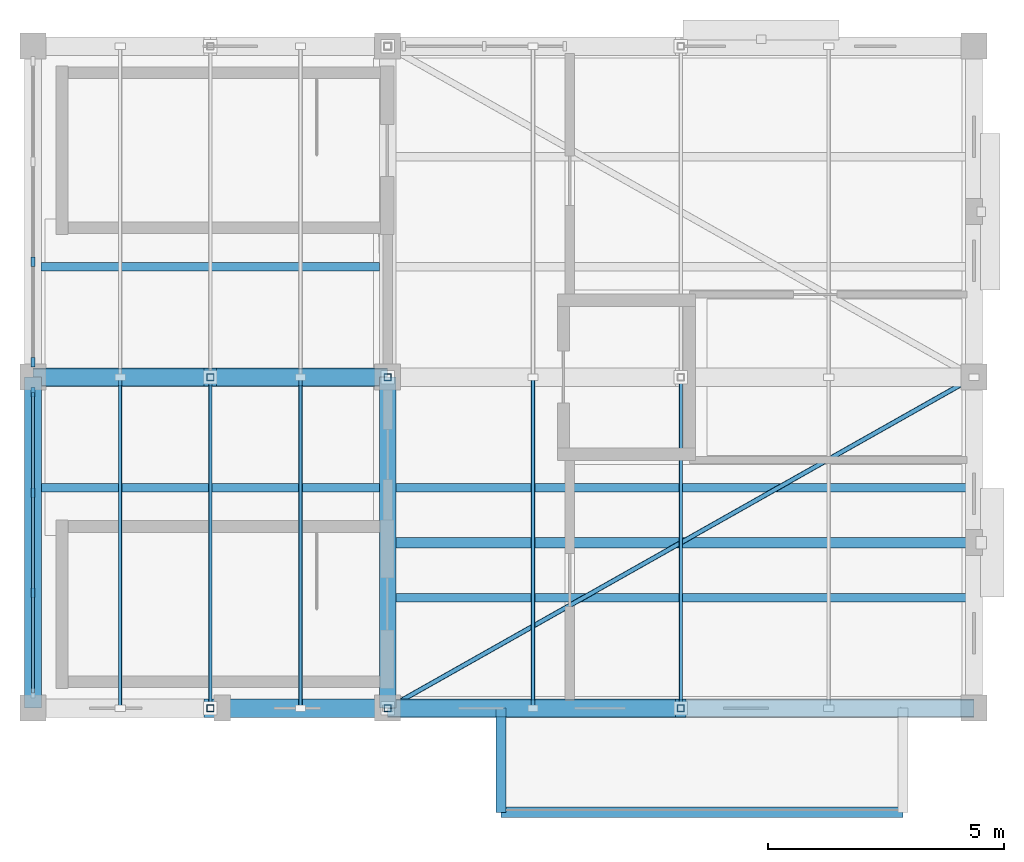
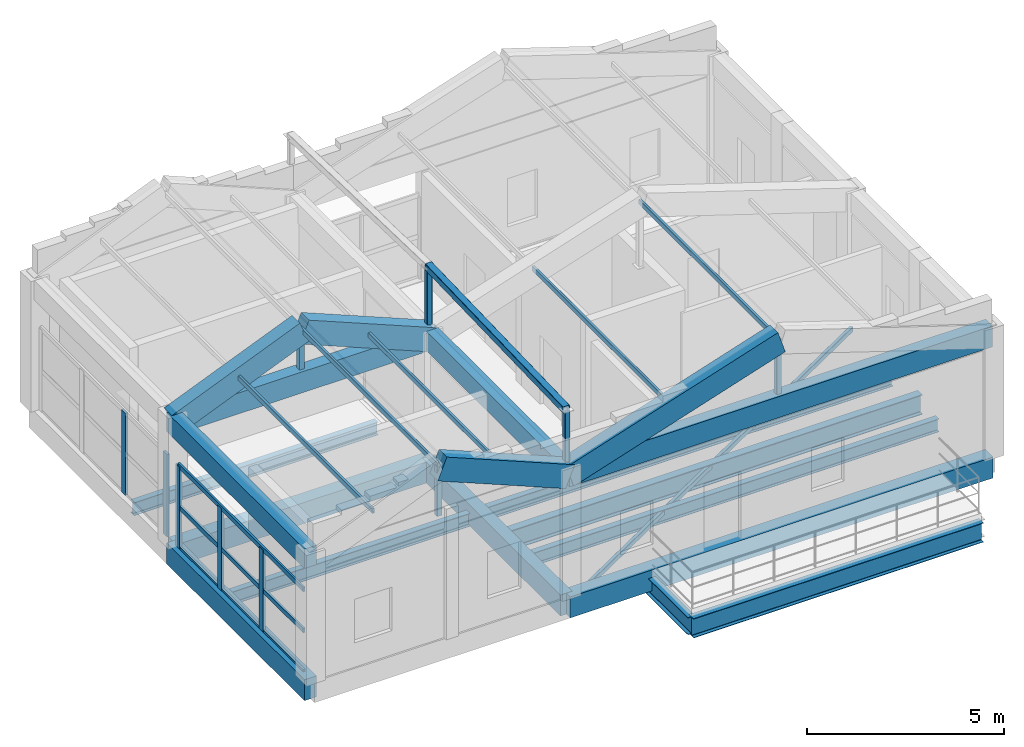
# One storey, part 2 of 8: 24 members, 15 beams, 2 elements without a shape of their own.
"""IFC4 building model written with IfcOpenShell, lengths in metres."""

from ifc_helpers import new_model, si_unit, direction, frame, origin, origin_2d, place, context, subcontext, project, spatial, rectangle, hollow_rectangle, i_section, extrude, material, layer, layer_set, material_profile, profile_set, type_object, element, aggregate, save


model = new_model("IFC4")

# Units and contexts
model_context = context("Model", 3, precision=1e-05, world=origin(), true_north=direction((0.0, 1.0)))
body_context = subcontext(model_context, "Body", "Model", "MODEL_VIEW")
ifc_project = project(units=[si_unit("LENGTHUNIT", "METRE"), si_unit("AREAUNIT", "SQUARE_METRE"), si_unit("VOLUMEUNIT", "CUBIC_METRE"), si_unit("PLANEANGLEUNIT", "RADIAN"), si_unit("MASSUNIT", "GRAM", prefix="KILO")], contexts=[model_context])

# Site, building, storey
site_placement = place(None, origin())
site = spatial("IfcSite", under=ifc_project, at=site_placement, CompositionType="ELEMENT")
building_placement = place(site_placement, origin())
building = spatial("IfcBuilding", under=site, at=building_placement, Name="Trellovar Central Fire Station", CompositionType="ELEMENT")
storey_placement = place(building_placement, frame((0.0, 0.0, 22.050048828125)))
storey = spatial("IfcBuildingStorey", under=building, at=storey_placement, Name="L06", CompositionType="ELEMENT", Elevation=22.050048828125)

# Beams
ifc_material_1 = material(Name="Concrete C40/50", Category="concrete")
ifc_material_profile_1 = material_profile(ifc_material_1, rectangle(XDim=0.39990234375, YDim=0.64990234375, at=origin_2d()), Name="RC400X650")
ifc_profile_set_1 = profile_set([ifc_material_profile_1], Name="Concrete C40/50")
beam_type_1 = type_object("IfcBeamType", Name="BM-G4", PredefinedType="BEAM", material=ifc_profile_set_1)
beam_1_placement = place(storey_placement, frame((148.60009765625, 59.0, -0.324951171875), z_axis=(1.0, 0.0, 0.0), x_axis=(0.0, 1.0, 0.0)))
element("IfcBeam", 1, at=beam_1_placement, inside=storey, type_object=beam_type_1, Name="L06 beam G-4", PredefinedType="BEAM", context=body_context, shape_type="SweptSolid", body=[
    extrude(rectangle(XDim=0.39990234375, YDim=0.64990234375, at=origin_2d()), origin(), (0.0, 0.0, 1.0), 12.39990234375),
])
beam_2_placement = place(storey_placement, frame((141.10009765625, 66.0, -0.324951171875), z_axis=(1.0, 0.0, 0.0), x_axis=(0.0, 1.0, 0.0)))
element("IfcBeam", 2, at=beam_2_placement, inside=storey, type_object=beam_type_1, Name="L06 beam G-4", PredefinedType="BEAM", context=body_context, shape_type="SweptSolid", body=[
    extrude(rectangle(XDim=0.39990234375, YDim=0.64990234375, at=origin_2d()), origin(), (0.0, 0.0, 1.0), 7.5),
])
ifc_material_2 = material(Name="Concrete C40/50", Category="concrete")
ifc_material_profile_2 = material_profile(ifc_material_2, rectangle(XDim=0.35009765625, YDim=0.64990234375, at=origin_2d()), Name="RC350X650")
ifc_profile_set_2 = profile_set([ifc_material_profile_2], Name="Concrete C40/50")
beam_type_2 = type_object("IfcBeamType", Name="BM-G5", PredefinedType="BEAM", material=ifc_profile_set_2)
for number, where, z_axis, x_axis, name in (
    (3, (141.10009765625, 59.0, -0.324951171875), (0.0, 1.0, 0.0), (-1.0, 0.0, 0.0), "L06 beam G-5"),
    (4, (148.60009765625, 59.0, -0.324951171875), (0.0, 1.0, 0.0), (-1.0, 0.0, 0.0), "L06 beam G-5"),
):
    element("IfcBeam", number, at=place(storey_placement, frame(where, z_axis=z_axis, x_axis=x_axis)), inside=storey, type_object=beam_type_2, Name=name, PredefinedType="BEAM", context=body_context, shape_type="SweptSolid", body=[
        extrude(rectangle(XDim=0.35009765625, YDim=0.64990234375, at=origin_2d()), origin(), (0.0, 0.0, 1.0), 7.0),
    ])
beam_3_placement = place(storey_placement, frame((148.60009765625, 59.0, 3.724853515625), z_axis=(1.0, 0.0, 0.0), x_axis=(0.0, 1.0, 0.0)))
element("IfcBeam", 5, at=beam_3_placement, inside=storey, type_object=beam_type_2, Name="L06 beam G-5", PredefinedType="BEAM", context=body_context, shape_type="SweptSolid", body=[
    extrude(rectangle(XDim=0.35009765625, YDim=0.64990234375, at=origin_2d()), origin(), (0.0, 0.0, 1.0), 12.39990234375),
])
beam_4_placement = place(storey_placement, frame((141.10009765625, 66.0, 3.724853515625), z_axis=(1.0, 0.0, 0.0), x_axis=(0.0, 1.0, 0.0)))
element("IfcBeam", 6, at=beam_4_placement, inside=storey, type_object=beam_type_2, Name="L06 beam G-5", PredefinedType="BEAM", context=body_context, shape_type="SweptSolid", body=[
    extrude(rectangle(XDim=0.35009765625, YDim=0.64990234375, at=origin_2d()), origin(), (0.0, 0.0, 1.0), 7.5),
])
ifc_material_3 = material(Name="Concrete C40/50", Category="concrete")
ifc_material_profile_3 = material_profile(ifc_material_3, rectangle(XDim=0.35009765625, YDim=0.60009765625, at=origin_2d()), Name="RC350X600")
ifc_profile_set_3 = profile_set([ifc_material_profile_3], Name="Concrete C40/50")
beam_type_3 = type_object("IfcBeamType", Name="BM-G6", PredefinedType="BEAM", material=ifc_profile_set_3)
for number, where, z_axis, x_axis, name in (
    (7, (141.10009765625, 59.0, 3.75), (0.0, 1.0, 0.0), (-1.0, 0.0, 0.0), "L06 beam G-6"),
    (8, (148.60009765625, 59.0, 3.75), (0.0, 1.0, 0.0), (-1.0, 0.0, 0.0), "L06 beam G-6"),
):
    element("IfcBeam", number, at=place(storey_placement, frame(where, z_axis=z_axis, x_axis=x_axis)), inside=storey, type_object=beam_type_3, Name=name, PredefinedType="BEAM", context=body_context, shape_type="SweptSolid", body=[
        extrude(rectangle(XDim=0.35009765625, YDim=0.60009765625, at=origin_2d()), origin(), (0.0, 0.0, 1.0), 7.0),
    ])
ifc_material_4 = material(Name="Steel ASTM A992 Grade 50", Category="steel")
ifc_material_profile_4 = material_profile(ifc_material_4, i_section(OverallWidth=0.177490234375, OverallDepth=0.40380859375, WebThickness=0.007568359375, FlangeThickness=0.010986328125, FilletRadius=0.011474609375, at=origin_2d()), Name="W16X36")
ifc_profile_set_4 = profile_set([ifc_material_profile_4], Name="Steel ASTM A992 Grade 50")
beam_type_4 = type_object("IfcBeamType", Name="BM-SW11", PredefinedType="JOIST", material=ifc_profile_set_4)
for number, where, z_axis, x_axis, name in (
    (9, (141.27001953125, 63.666748046875, -0.44189453125), (1.0, 0.0, 0.0), (0.0, 1.0, 0.0), "L06 beam SB-11"),
    (10, (141.27001953125, 68.333251953125, -0.44189453125), (1.0, 0.0, 0.0), (0.0, 1.0, 0.0), "L06 beam SB-11"),
):
    element("IfcBeam", number, at=place(storey_placement, frame(where, z_axis=z_axis, x_axis=x_axis)), inside=storey, type_object=beam_type_4, Name=name, PredefinedType="JOIST", context=body_context, shape_type="SweptSolid", body=[
        extrude(i_section(OverallWidth=0.177490234375, OverallDepth=0.40380859375, WebThickness=0.007568359375, FlangeThickness=0.010986328125, FilletRadius=0.011474609375, at=origin_2d()), origin(), (0.0, 0.0, 1.0), 7.159912109375),
    ])
for number, where, z_axis, x_axis, name in (
    (11, (148.77001953125, 61.333251953125, -0.44189453125), (1.0, 0.0, 0.0), (0.0, 1.0, 0.0), "L06 beam SB-11"),
    (12, (148.77001953125, 63.666748046875, -0.44189453125), (1.0, 0.0, 0.0), (0.0, 1.0, 0.0), "L06 beam SB-11"),
):
    element("IfcBeam", number, at=place(storey_placement, frame(where, z_axis=z_axis, x_axis=x_axis)), inside=storey, type_object=beam_type_4, Name=name, PredefinedType="JOIST", context=body_context, shape_type="SweptSolid", body=[
        extrude(i_section(OverallWidth=0.177490234375, OverallDepth=0.40380859375, WebThickness=0.007568359375, FlangeThickness=0.010986328125, FilletRadius=0.011474609375, at=origin_2d()), origin(), (0.0, 0.0, 1.0), 12.06005859375),
    ])
ifc_material_5 = material(Name="Steel ASTM A992 Grade 50", Category="steel")
ifc_material_profile_5 = material_profile(ifc_material_5, i_section(OverallWidth=0.22900390625, OverallDepth=0.612060546875, WebThickness=0.011962890625, FlangeThickness=0.01953125, FilletRadius=0.01513671875, at=origin_2d()), Name="W24X84")
ifc_profile_set_5 = profile_set([ifc_material_profile_5], Name="Steel ASTM A992 Grade 50")
beam_type_5 = type_object("IfcBeamType", Name="BM-SW5", PredefinedType="BEAM", material=ifc_profile_set_5)
beam_5_placement = place(storey_placement, frame((148.60009765625, 62.5, -0.546142578125), z_axis=(1.0, 0.0, 0.0), x_axis=(0.0, 1.0, 0.0)))
element("IfcBeam", 13, at=beam_5_placement, inside=storey, type_object=beam_type_5, Name="V2 L06 44.5 kN rappel anchor beam", PredefinedType="BEAM", context=body_context, shape_type="SweptSolid", body=[
    extrude(i_section(OverallWidth=0.22900390625, OverallDepth=0.612060546875, WebThickness=0.011962890625, FlangeThickness=0.01953125, FilletRadius=0.01513671875, at=origin_2d()), origin(), (0.0, 0.0, 1.0), 12.39990234375),
])
ifc_material_6 = material(Name="Steel ASTM A992 Grade 50", Category="steel")
ifc_material_profile_6 = material_profile(ifc_material_6, i_section(OverallWidth=0.227783203125, OverallDepth=0.60205078125, WebThickness=0.010498046875, FlangeThickness=0.014892578125, FilletRadius=0.01513671875, at=origin_2d()), Name="W24X68")
ifc_profile_set_6 = profile_set([ifc_material_profile_6], Name="Steel ASTM A992 Grade 50")
beam_type_6 = type_object("IfcBeamType", Name="BM-SW6", PredefinedType="BEAM", material=ifc_profile_set_6)
beam_6_placement = place(storey_placement, frame((151.0, 56.800048828125, -0.531005859375), z_axis=(1.0, 0.0, 0.0), x_axis=(0.0, 1.0, 0.0)))
element("IfcBeam", 14, at=beam_6_placement, inside=storey, type_object=beam_type_6, Name="V2 L06 balcony edge beam", PredefinedType="BEAM", context=body_context, shape_type="SweptSolid", body=[
    extrude(i_section(OverallWidth=0.227783203125, OverallDepth=0.60205078125, WebThickness=0.010498046875, FlangeThickness=0.014892578125, FilletRadius=0.01513671875, at=origin_2d()), origin(), (0.0, 0.0, 1.0), 8.5),
])
ifc_material_7 = material(Name="Steel ASTM A992 Grade 50", Category="steel")
ifc_material_profile_7 = material_profile(ifc_material_7, i_section(OverallWidth=0.209228515625, OverallDepth=0.533447265625, WebThickness=0.01025390625, FlangeThickness=0.015625, FilletRadius=0.013916015625, at=origin_2d()), Name="W21X62")
ifc_profile_set_7 = profile_set([ifc_material_profile_7], Name="Steel ASTM A992 Grade 50")
beam_type_7 = type_object("IfcBeamType", Name="BM-SW7", PredefinedType="BEAM", material=ifc_profile_set_7)
beam_7_placement = place(storey_placement, frame((151.0, 56.800048828125, -0.496826171875), z_axis=(0.0, 1.0, 0.0), x_axis=(-1.0, 0.0, 0.0)))
element("IfcBeam", 15, at=beam_7_placement, inside=storey, type_object=beam_type_7, Name="V2 L06 balcony tie beam", PredefinedType="BEAM", context=body_context, shape_type="SweptSolid", body=[
    extrude(i_section(OverallWidth=0.209228515625, OverallDepth=0.533447265625, WebThickness=0.01025390625, FlangeThickness=0.015625, FilletRadius=0.013916015625, at=origin_2d()), origin(), (0.0, 0.0, 1.0), 2.199951171875),
])

# Curtain wall, members
ifc_material_8 = material(Name="Thermally broken bronze anodized aluminum", Category="aluminium")
ifc_layer = layer(ifc_material_8, 0.159912109375)
ifc_layer_set = layer_set([ifc_layer], Name="Thermally broken bronze anodized aluminum")
curtain_wall_type = type_object("IfcCurtainWallType", Name="CW-09", PredefinedType="NOTDEFINED", material=ifc_layer_set)
curtain_wall_1_placement = place(storey_placement, origin())
curtain_wall_1 = element("IfcCurtainWall", 16, at=curtain_wall_1_placement, inside=storey, type_object=curtain_wall_type, Name="V2 L06 west drill yard curtain wall", PredefinedType="NOTDEFINED")
ifc_material_9 = material(Name="Thermally broken bronze anodized aluminum", Category="aluminium")
ifc_material_profile_8 = material_profile(ifc_material_9, rectangle(XDim=0.074951171875, YDim=0.199951171875, at=origin_2d()), Name="ALU75X200")
ifc_profile_set_8 = profile_set([ifc_material_profile_8], Name="Thermally broken bronze anodized aluminum")
member_type_1 = type_object("IfcMemberType", Name="CWM-1", PredefinedType="MULLION", material=ifc_profile_set_8)
member_1_placement = place(storey_placement, frame((141.10009765625, 61.43994140625, 0.0), z_axis=(0.0, 0.0, 1.0), x_axis=(1.0, 0.0, 0.0)))
member_1 = element("IfcMember", 17, at=member_1_placement, type_object=member_type_1, Name="CW3-L06-0169 mullion 2", PredefinedType="MULLION", context=body_context, shape_type="SweptSolid", body=[
    extrude(rectangle(XDim=0.074951171875, YDim=0.199951171875, at=origin_2d()), origin(), (0.0, 0.0, 1.0), 2.550048828125),
])
member_2_placement = place(storey_placement, frame((141.10009765625, 63.56005859375, 0.0), z_axis=(0.0, 0.0, 1.0), x_axis=(1.0, 0.0, 0.0)))
member_2 = element("IfcMember", 18, at=member_2_placement, type_object=member_type_1, Name="CW3-L06-0169 mullion 3", PredefinedType="MULLION", context=body_context, shape_type="SweptSolid", body=[
    extrude(rectangle(XDim=0.074951171875, YDim=0.199951171875, at=origin_2d()), origin(), (0.0, 0.0, 1.0), 2.550048828125),
])
member_3_placement = place(storey_placement, frame((141.10009765625, 65.679931640625, 0.0), z_axis=(0.0, 0.0, 1.0), x_axis=(1.0, 0.0, 0.0)))
member_3 = element("IfcMember", 19, at=member_3_placement, type_object=member_type_1, Name="CW3-L06-0169 mullion 4", PredefinedType="MULLION", context=body_context, shape_type="SweptSolid", body=[
    extrude(rectangle(XDim=0.074951171875, YDim=0.199951171875, at=origin_2d()), origin(), (0.0, 0.0, 1.0), 2.550048828125),
])

curtain_wall_2_placement = place(storey_placement, origin())
curtain_wall_2 = element("IfcCurtainWall", 20, at=curtain_wall_2_placement, inside=storey, type_object=curtain_wall_type, Name="V2 L06 west drill yard curtain wall", PredefinedType="NOTDEFINED")
member_4_placement = place(storey_placement, frame((141.10009765625, 66.320068359375, 0.0), z_axis=(0.0, 0.0, 1.0), x_axis=(1.0, 0.0, 0.0)))
member_4 = element("IfcMember", 21, at=member_4_placement, type_object=member_type_1, Name="CW3-L06-0170 mullion 1", PredefinedType="MULLION", context=body_context, shape_type="SweptSolid", body=[
    extrude(rectangle(XDim=0.074951171875, YDim=0.199951171875, at=origin_2d()), origin(), (0.0, 0.0, 1.0), 2.550048828125),
])
member_5_placement = place(storey_placement, frame((141.10009765625, 68.43994140625, 0.0), z_axis=(0.0, 0.0, 1.0), x_axis=(1.0, 0.0, 0.0)))
member_5 = element("IfcMember", 22, at=member_5_placement, type_object=member_type_1, Name="CW3-L06-0170 mullion 2", PredefinedType="MULLION", context=body_context, shape_type="SweptSolid", body=[
    extrude(rectangle(XDim=0.074951171875, YDim=0.199951171875, at=origin_2d()), origin(), (0.0, 0.0, 1.0), 2.550048828125),
])
aggregate(curtain_wall_2, [member_4, member_5])

# Member
ifc_material_10 = material(Name="Thermally broken bronze anodized aluminum", Category="aluminium")
ifc_material_profile_9 = material_profile(ifc_material_10, rectangle(XDim=0.06005859375, YDim=0.139892578125, at=origin_2d()), Name="ALU60X140")
ifc_profile_set_9 = profile_set([ifc_material_profile_9], Name="Thermally broken bronze anodized aluminum")
member_type_2 = type_object("IfcMemberType", Name="CWT-1", PredefinedType="USERDEFINED", material=ifc_profile_set_9)
member_6_placement = place(storey_placement, frame((141.10009765625, 59.320068359375, 0.0), z_axis=(0.0, 1.0, 0.0), x_axis=(-1.0, 0.0, 0.0)))
member_6 = element("IfcMember", 23, at=member_6_placement, type_object=member_type_2, Name="CW3-L06-0169 transom 1", ObjectType="TRANSOM", PredefinedType="USERDEFINED", context=body_context, shape_type="SweptSolid", body=[
    extrude(rectangle(XDim=0.06005859375, YDim=0.139892578125, at=origin_2d()), origin(), (0.0, 0.0, 1.0), 6.35986328125),
])

member_7_placement = place(storey_placement, frame((141.10009765625, 59.320068359375, 1.27490234375), z_axis=(0.0, 1.0, 0.0), x_axis=(-1.0, 0.0, 0.0)))
member_7 = element("IfcMember", 24, at=member_7_placement, type_object=member_type_2, Name="CW3-L06-0169 transom 2", ObjectType="TRANSOM", PredefinedType="USERDEFINED", context=body_context, shape_type="SweptSolid", body=[
    extrude(rectangle(XDim=0.06005859375, YDim=0.139892578125, at=origin_2d()), origin(), (0.0, 0.0, 1.0), 6.35986328125),
])

member_8_placement = place(storey_placement, frame((141.10009765625, 59.320068359375, 2.550048828125), z_axis=(0.0, 1.0, 0.0), x_axis=(-1.0, 0.0, 0.0)))
member_8 = element("IfcMember", 25, at=member_8_placement, type_object=member_type_2, Name="CW3-L06-0169 transom 3", ObjectType="TRANSOM", PredefinedType="USERDEFINED", context=body_context, shape_type="SweptSolid", body=[
    extrude(rectangle(XDim=0.06005859375, YDim=0.139892578125, at=origin_2d()), origin(), (0.0, 0.0, 1.0), 6.35986328125),
])

aggregate(curtain_wall_1, [member_1, member_2, member_3, member_6, member_7, member_8])

# Members
ifc_material_11 = material(Name="Steel ASTM A500 Grade C", Category="steel")
ifc_material_profile_10 = material_profile(ifc_material_11, hollow_rectangle(XDim=0.203125, YDim=0.203125, WallThickness=0.0087890625, InnerFilletRadius=0.0087890625, OuterFilletRadius=0.017822265625, at=origin_2d()), Name="HSS8X8X3/8")
ifc_profile_set_10 = profile_set([ifc_material_profile_10], Name="Steel ASTM A500 Grade C")
member_type_3 = type_object("IfcMemberType", Name="MEM-CH1", PredefinedType="CHORD", material=ifc_profile_set_10)
member_9_placement = place(storey_placement, frame((148.60009765625, 59.0, 5.699951171875), z_axis=(0.0, 0.999592285491, 0.028552806983), x_axis=(-1.0, 0.0, 0.0)))
element("IfcMember", 26, at=member_9_placement, inside=storey, type_object=member_type_3, Name="V2 Catalan crown south ridge chord CH-1", PredefinedType="CHORD", context=body_context, shape_type="SweptSolid", body=[
    extrude(hollow_rectangle(XDim=0.203125, YDim=0.203125, WallThickness=0.0087890625, InnerFilletRadius=0.0087890625, OuterFilletRadius=0.017822265625, at=origin_2d()), origin(), (0.0, 0.0, 1.0), 7.0029296875),
])
ifc_material_12 = material(Name="Concrete C40/50", Category="concrete")
ifc_material_profile_11 = material_profile(ifc_material_12, rectangle(XDim=0.39990234375, YDim=0.699951171875, at=origin_2d()), Name="RC400X700")
ifc_profile_set_11 = profile_set([ifc_material_profile_11], Name="Concrete C40/50")
member_type_4 = type_object("IfcMemberType", Name="MEM-LR1", PredefinedType="CHORD", material=ifc_profile_set_11)
for number, where, z_axis, x_axis, name in (
    (27, (144.85009765625, 59.0, 5.280029296875), (0.924162631586, 0.0, -0.381999254423), (0.0, 1.0, 0.0), "V2W Catalan vault rib 1 chord 2"),
    (28, (141.10009765625, 66.0, 3.72998046875), (0.924162631586, 0.0, 0.381999254423), (0.0, 1.0, 0.0), "V2W Catalan vault rib 1 chord 1"),
    (29, (144.85009765625, 66.0, 5.280029296875), (0.924162631586, 0.0, -0.381999254423), (0.0, 1.0, 0.0), "V2W Catalan vault rib 1 chord 2"),
):
    element("IfcMember", number, at=place(storey_placement, frame(where, z_axis=z_axis, x_axis=x_axis)), inside=storey, type_object=member_type_4, Name=name, PredefinedType="CHORD", context=body_context, shape_type="SweptSolid", body=[
        extrude(rectangle(XDim=0.39990234375, YDim=0.699951171875, at=origin_2d()), origin(), (0.0, 0.0, 1.0), 4.0576171875),
    ])
member_10_placement = place(storey_placement, frame((148.60009765625, 59.0, 3.72998046875), z_axis=(0.951707911327, 0.0, 0.30700496986), x_axis=(0.0, 1.0, 0.0)))
element("IfcMember", 30, at=member_10_placement, inside=storey, type_object=member_type_4, Name="V2E Catalan vault rib 1 chord 1", PredefinedType="CHORD", context=body_context, shape_type="SweptSolid", body=[
    extrude(rectangle(XDim=0.39990234375, YDim=0.699951171875, at=origin_2d()), origin(), (0.0, 0.0, 1.0), 6.5146484375),
])
ifc_material_13 = material(Name="Steel ASTM A500 Grade C", Category="steel")
ifc_material_profile_12 = material_profile(ifc_material_13, hollow_rectangle(XDim=0.076171875, YDim=0.15234375, WallThickness=0.005859375, InnerFilletRadius=0.005859375, OuterFilletRadius=0.01171875, at=origin_2d()), Name="HSS6X3X1/4")
ifc_profile_set_12 = profile_set([ifc_material_profile_12], Name="Steel ASTM A500 Grade C")
member_type_5 = type_object("IfcMemberType", Name="MEM-PU2", PredefinedType="PURLIN", material=ifc_profile_set_12)
for number, where, z_axis, x_axis, name in (
    (31, (144.85009765625, 59.0, 5.280029296875), (0.0, 1.0, 0.0), (-1.0, 0.0, 0.0), "V2W vault ridge purlin 1"),
    (32, (142.9423828125, 59.0, 4.531494140625), (0.0, 1.0, 0.0), (-1.0, 0.0, 0.0), "V2W vault purlin 1-1"),
    (33, (146.757568359375, 59.0, 4.531494140625), (0.0, 1.0, 0.0), (-1.0, 0.0, 0.0), "V2W vault purlin 1-2"),
    (34, (154.800048828125, 59.0, 5.72998046875), (0.0, 1.0, 0.0), (-1.0, 0.0, 0.0), "V2E vault ridge purlin 1"),
    (35, (151.673828125, 59.0, 4.761474609375), (0.0, 1.0, 0.0), (-1.0, 0.0, 0.0), "V2E vault purlin 1-1"),
):
    element("IfcMember", number, at=place(storey_placement, frame(where, z_axis=z_axis, x_axis=x_axis)), inside=storey, type_object=member_type_5, Name=name, PredefinedType="PURLIN", context=body_context, shape_type="SweptSolid", body=[
        extrude(hollow_rectangle(XDim=0.076171875, YDim=0.15234375, WallThickness=0.005859375, InnerFilletRadius=0.005859375, OuterFilletRadius=0.01171875, at=origin_2d()), origin(), (0.0, 0.0, 1.0), 7.0),
    ])
ifc_material_14 = material(Name="Steel ASTM A500 Grade C", Category="steel")
ifc_material_profile_13 = material_profile(ifc_material_14, hollow_rectangle(XDim=0.15234375, YDim=0.15234375, WallThickness=0.0087890625, InnerFilletRadius=0.0087890625, OuterFilletRadius=0.017822265625, at=origin_2d()), Name="HSS6X6X3/8")
ifc_profile_set_13 = profile_set([ifc_material_profile_13], Name="Steel ASTM A500 Grade C")
member_type_6 = type_object("IfcMemberType", Name="MEM-ST1", PredefinedType="STRUT", material=ifc_profile_set_13)
for number, where, z_axis, x_axis, name in (
    (36, (144.85009765625, 59.0, 3.75), (0.0, 0.0, 1.0), (1.0, 0.0, 0.0), "V2W Catalan vault apex post 1"),
    (37, (144.85009765625, 66.0, 3.75), (0.0, 0.0, 1.0), (1.0, 0.0, 0.0), "V2W Catalan vault apex post 1"),
):
    element("IfcMember", number, at=place(storey_placement, frame(where, z_axis=z_axis, x_axis=x_axis)), inside=storey, type_object=member_type_6, Name=name, PredefinedType="STRUT", context=body_context, shape_type="SweptSolid", body=[
        extrude(hollow_rectangle(XDim=0.15234375, YDim=0.15234375, WallThickness=0.0087890625, InnerFilletRadius=0.0087890625, OuterFilletRadius=0.017822265625, at=origin_2d()), origin(), (0.0, 0.0, 1.0), 1.530029296875),
    ])
member_11_placement = place(storey_placement, frame((154.800048828125, 59.0, 3.75), z_axis=(0.0, 0.0, 1.0), x_axis=(1.0, 0.0, 0.0)))
element("IfcMember", 38, at=member_11_placement, inside=storey, type_object=member_type_6, Name="V2E Catalan vault apex post 1", PredefinedType="STRUT", context=body_context, shape_type="SweptSolid", body=[
    extrude(hollow_rectangle(XDim=0.15234375, YDim=0.15234375, WallThickness=0.0087890625, InnerFilletRadius=0.0087890625, OuterFilletRadius=0.017822265625, at=origin_2d()), origin(), (0.0, 0.0, 1.0), 1.97998046875),
])
member_12_placement = place(storey_placement, frame((148.60009765625, 59.0, 4.050048828125), z_axis=(0.0, 0.0, 1.0), x_axis=(1.0, 0.0, 0.0)))
element("IfcMember", 39, at=member_12_placement, inside=storey, type_object=member_type_6, Name="V2 crown king post Y=59.0", PredefinedType="STRUT", context=body_context, shape_type="SweptSolid", body=[
    extrude(hollow_rectangle(XDim=0.15234375, YDim=0.15234375, WallThickness=0.0087890625, InnerFilletRadius=0.0087890625, OuterFilletRadius=0.017822265625, at=origin_2d()), origin(), (0.0, 0.0, 1.0), 1.64990234375),
])
member_13_placement = place(storey_placement, frame((148.60009765625, 66.0, 4.050048828125), z_axis=(0.0, 0.0, 1.0), x_axis=(1.0, 0.0, 0.0)))
element("IfcMember", 40, at=member_13_placement, inside=storey, type_object=member_type_6, Name="V2 crown king post Y=66.0", PredefinedType="STRUT", context=body_context, shape_type="SweptSolid", body=[
    extrude(hollow_rectangle(XDim=0.15234375, YDim=0.15234375, WallThickness=0.0087890625, InnerFilletRadius=0.0087890625, OuterFilletRadius=0.017822265625, at=origin_2d()), origin(), (0.0, 0.0, 1.0), 1.849853515625),
])
ifc_material_15 = material(Name="Steel ASTM A500 Grade C", Category="steel")
ifc_material_profile_14 = material_profile(ifc_material_15, hollow_rectangle(XDim=0.1015625, YDim=0.15234375, WallThickness=0.005859375, InnerFilletRadius=0.005859375, OuterFilletRadius=0.01171875, at=origin_2d()), Name="HSS6X4X1/4")
ifc_profile_set_14 = profile_set([ifc_material_profile_14], Name="Steel ASTM A500 Grade C")
member_type_7 = type_object("IfcMemberType", Name="MEM-ST2", PredefinedType="STRUT", material=ifc_profile_set_14)
member_14_placement = place(storey_placement, frame((148.60009765625, 59.0, -0.39013671875), z_axis=(0.870822651699, 0.491597303987, 0.0), x_axis=(-0.491597303987, 0.870822651699, 0.0)))
element("IfcMember", 41, at=member_14_placement, inside=storey, type_object=member_type_7, Name="V2 L06 deck diaphragm strut", PredefinedType="STRUT", context=body_context, shape_type="SweptSolid", body=[
    extrude(hollow_rectangle(XDim=0.1015625, YDim=0.15234375, WallThickness=0.005859375, InnerFilletRadius=0.005859375, OuterFilletRadius=0.01171875, at=origin_2d()), origin(), (0.0, 0.0, 1.0), 14.2392578125),
])

save(model, "model.ifc")
